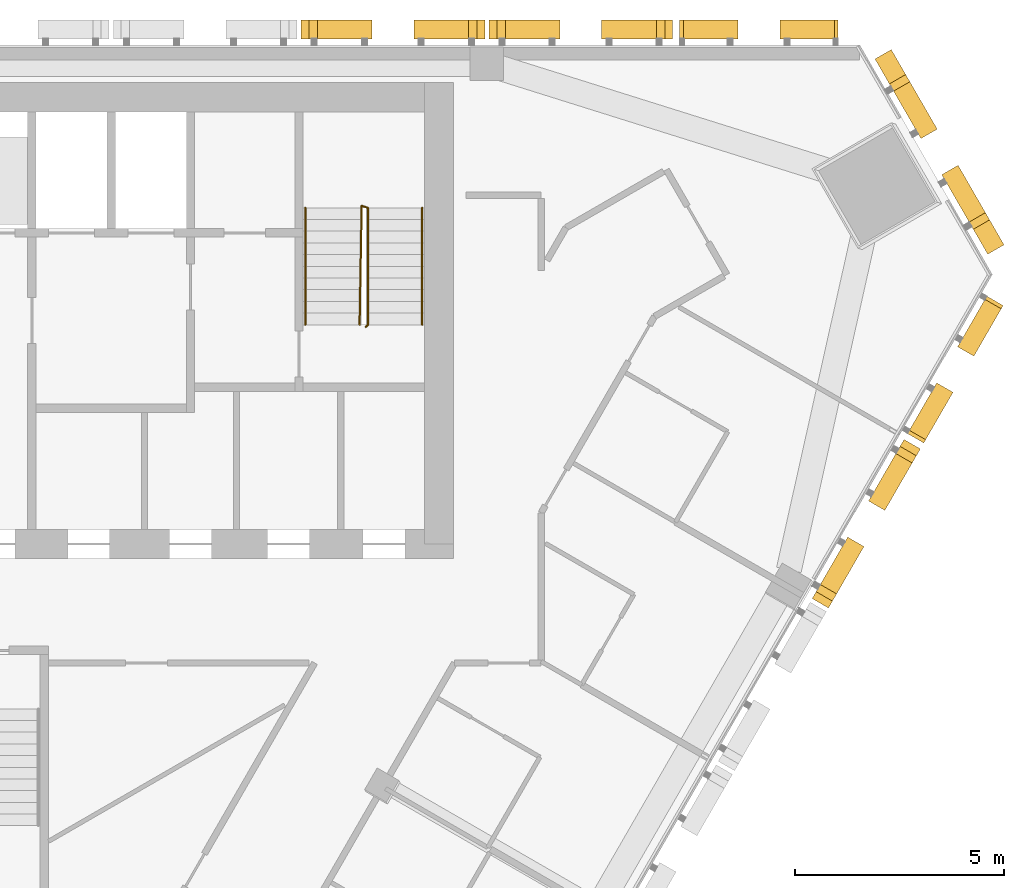
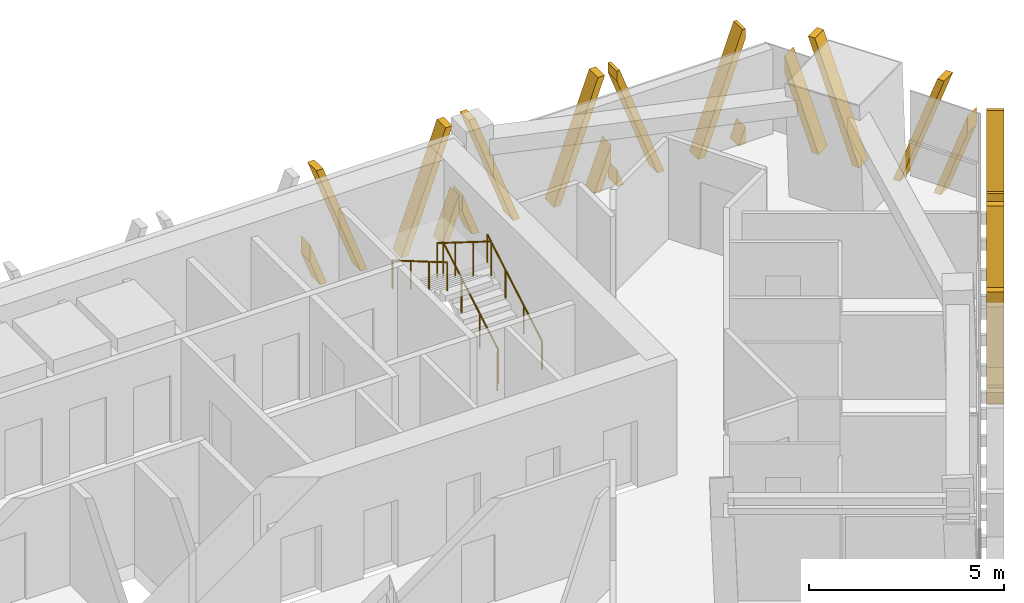
# One storey, part 15 of 16: 6 shading devices, 3 railings.
"""IFC4 building model written with IfcOpenShell, lengths in metres."""

from ifc_helpers import new_model, si_unit, direction, frame, origin, origin_2d, place, context, subcontext, project, spatial, polyline, circle, outline, extrude, source, transform, mapped, material, type_object, element, save


model = new_model("IFC4")

# Units and contexts
model_context = context("Model", 3, precision=1e-05, world=origin(), true_north=direction((0.0, 1.0)))
body_context = subcontext(model_context, "Body", "Model", "MODEL_VIEW")
ifc_project = project(units=[si_unit("LENGTHUNIT", "METRE"), si_unit("AREAUNIT", "SQUARE_METRE"), si_unit("VOLUMEUNIT", "CUBIC_METRE"), si_unit("PLANEANGLEUNIT", "RADIAN"), si_unit("MASSUNIT", "GRAM", prefix="KILO")], contexts=[model_context])

# Site, building, storey
site_placement = place(None, origin())
site = spatial("IfcSite", under=ifc_project, at=site_placement, CompositionType="ELEMENT")
building_placement = place(site_placement, origin())
building = spatial("IfcBuilding", under=site, at=building_placement, Name="Altiplano Prism Tower", CompositionType="ELEMENT")
storey_placement = place(building_placement, frame((0.0, 0.0, 198.0)))
storey = spatial("IfcBuildingStorey", under=building, at=storey_placement, Name="L51", CompositionType="ELEMENT", Elevation=198.0)

# Railings
ifc_material_1 = material(Name="Steel S355", Category="steel")
railing_type_1 = type_object("IfcRailingType", Name="Stair guard 1100", PredefinedType="GUARDRAIL", material=ifc_material_1)
railing_1_placement = place(storey_placement, frame((95.60009765625, 98.25, 0.0)))
element("IfcRailing", 1, at=railing_1_placement, inside=storey, type_object=railing_type_1, Name="L51 ST2 stair guard 1", PredefinedType="GUARDRAIL", context=body_context, shape_type="SweptSolid", body=[
    extrude(circle(Radius=0.02392578125, at=origin_2d()), frame((0.0, 0.0, 1.076171875), z_axis=(0.279546231943, 0.280916556609, 0.91811752648), x_axis=(-0.708833529934, 0.705375805398, 0.0)), (0.0, 0.0, 1.0), 0.17822265625),
    extrude(circle(Radius=0.02392578125, at=origin_2d()), frame((0.0498046875, 0.050048828125, 1.23974609375), z_axis=(0.0, 0.863360870873, 0.504586966384), x_axis=(-1.0, 0.0, 0.0)), (0.0, 0.0, 1.0), 3.2431640625),
    extrude(circle(Radius=0.02392578125, at=origin_2d()), frame((0.0498046875, 2.85009765625, 2.8759765625), z_axis=(-0.948991962702, 0.315300261223, 0.0), x_axis=(-0.315300261223, -0.948991962702, 0.0)), (0.0, 0.0, 1.0), 0.157958984375),
    extrude(circle(Radius=0.02392578125, at=origin_2d()), frame((-0.10009765625, 2.89990234375, 2.8759765625), z_axis=(-0.014846418356, -0.845376787675, 0.533964109957), x_axis=(0.999845825584, -0.017559187376, 0.0)), (0.0, 0.0, 1.0), 3.37109375),
    extrude(circle(Radius=0.02099609375, at=origin_2d()), origin(), (0.0, 0.0, 1.0), 1.052001953125),
    extrude(circle(Radius=0.02099609375, at=origin_2d()), frame((0.0498046875, 0.050048828125, 0.16357421875)), (0.0, 0.0, 1.0), 1.052001953125),
    extrude(circle(Radius=0.02099609375, at=origin_2d()), frame((0.0498046875, 0.9833984375, 0.708984375)), (0.0, 0.0, 1.0), 1.052001953125),
    extrude(circle(Radius=0.02099609375, at=origin_2d()), frame((0.0498046875, 1.916748046875, 1.254638671875)), (0.0, 0.0, 1.0), 1.052001953125),
    extrude(circle(Radius=0.02099609375, at=origin_2d()), frame((0.0498046875, 2.85009765625, 1.800048828125)), (0.0, 0.0, 1.0), 1.052001953125),
    extrude(circle(Radius=0.02099609375, at=origin_2d()), frame((-0.10009765625, 2.89990234375, 1.800048828125)), (0.0, 0.0, 1.0), 1.052001953125),
    extrude(circle(Radius=0.02099609375, at=origin_2d()), frame((-0.11669921875, 1.949951171875, 2.400146484375)), (0.0, 0.0, 1.0), 1.052001953125),
    extrude(circle(Radius=0.02099609375, at=origin_2d()), frame((-0.133544921875, 1.0, 3.0)), (0.0, 0.0, 1.0), 1.052001953125),
    extrude(circle(Radius=0.02099609375, at=origin_2d()), frame((-0.150146484375, 0.050048828125, 3.60009765625)), (0.0, 0.0, 1.0), 1.052001953125),
])
railing_type_2 = type_object("IfcRailingType", Name="Stair handrail 900", PredefinedType="HANDRAIL", material=ifc_material_1)
railing_2_placement = place(storey_placement, frame((96.949951171875, 98.300048828125, 0.16357421875)))
element("IfcRailing", 2, at=railing_2_placement, inside=storey, type_object=railing_type_2, Name="L51 ST2 stair handrail 1", PredefinedType="HANDRAIL", context=body_context, shape_type="SweptSolid", body=[
    extrude(circle(Radius=0.02392578125, at=origin_2d()), frame((0.0, 0.0, 0.8759765625), z_axis=(0.0, 0.863360870873, 0.504586966384), x_axis=(-1.0, 0.0, 0.0)), (0.0, 0.0, 1.0), 3.2431640625),
    extrude(circle(Radius=0.02099609375, at=origin_2d()), origin(), (0.0, 0.0, 1.0), 0.851806640625),
    extrude(circle(Radius=0.02099609375, at=origin_2d()), frame((0.0, 0.933349609375, 0.54541015625)), (0.0, 0.0, 1.0), 0.851806640625),
    extrude(circle(Radius=0.02099609375, at=origin_2d()), frame((0.0, 1.86669921875, 1.091064453125)), (0.0, 0.0, 1.0), 0.851806640625),
    extrude(circle(Radius=0.02099609375, at=origin_2d()), frame((0.0, 2.800048828125, 1.636474609375)), (0.0, 0.0, 1.0), 0.851806640625),
])
railing_3_placement = place(storey_placement, frame((94.14990234375, 101.10009765625, 1.963623046875)))
element("IfcRailing", 3, at=railing_3_placement, inside=storey, type_object=railing_type_2, Name="L51 ST2 stair handrail 2", PredefinedType="HANDRAIL", context=body_context, shape_type="SweptSolid", body=[
    extrude(circle(Radius=0.02392578125, at=origin_2d()), frame((0.0, 0.0, 0.8759765625), z_axis=(0.0, -0.863360870873, 0.504586966384), x_axis=(1.0, 0.0, 0.0)), (0.0, 0.0, 1.0), 3.2431640625),
    extrude(circle(Radius=0.02099609375, at=origin_2d()), origin(), (0.0, 0.0, 1.0), 0.851806640625),
    extrude(circle(Radius=0.02099609375, at=origin_2d()), frame((0.0, -0.933349609375, 0.54541015625)), (0.0, 0.0, 1.0), 0.851806640625),
    extrude(circle(Radius=0.02099609375, at=origin_2d()), frame((0.0, -1.86669921875, 1.091064453125)), (0.0, 0.0, 1.0), 0.851806640625),
    extrude(circle(Radius=0.02099609375, at=origin_2d()), frame((0.0, -2.800048828125, 1.636474609375)), (0.0, 0.0, 1.0), 0.851806640625),
])

# Shading devices
ifc_material_2 = material(Name="Warm limestone cast stone", Category="masonry")
shading_device_type_1 = type_object("IfcShadingDeviceType", Name="Stone fin panel, standard unit", PredefinedType="USERDEFINED", material=ifc_material_2)
shared_shape_1 = source(origin(), body_context, "Body", "SweptSolid", [
    extrude(outline(polyline([(-2.199951171875, 1.373779296875), (-2.199951171875, 0.82421875), (-1.89990234375, 0.0), (-1.699951171875, 0.0), (-2.199951171875, 1.373779296875)])), frame((0.0, -0.14990234375, 0.0), z_axis=(0.0, -1.0, 0.0), x_axis=(1.0, 0.0, 0.0)), (0.0, 0.0, 1.0), 0.4501953125),
    extrude(outline(polyline([(-2.01025390625, 3.60009765625), (-0.699951171875, 0.0), (-0.5, 0.0), (-1.810302734375, 3.60009765625), (-2.01025390625, 3.60009765625)])), frame((0.0, -0.14990234375, 0.0), z_axis=(0.0, -1.0, 0.0), x_axis=(1.0, 0.0, 0.0)), (0.0, 0.0, 1.0), 0.4501953125),
    extrude(outline(polyline([(1.810302734375, 3.60009765625), (0.5, 0.0), (0.699951171875, 0.0), (2.01025390625, 3.60009765625), (1.810302734375, 3.60009765625)])), frame((0.0, -0.14990234375, 0.0), z_axis=(0.0, -1.0, 0.0), x_axis=(1.0, 0.0, 0.0)), (0.0, 0.0, 1.0), 0.4501953125),
    extrude(outline(polyline([(2.199951171875, 0.82421875), (2.199951171875, 1.373779296875), (1.699951171875, 0.0), (1.89990234375, 0.0), (2.199951171875, 0.82421875)])), frame((0.0, -0.14990234375, 0.0), z_axis=(0.0, -1.0, 0.0), x_axis=(1.0, 0.0, 0.0)), (0.0, 0.0, 1.0), 0.4501953125),
])
shading_device_1_placement = place(storey_placement, origin())
element("IfcShadingDevice", 4, at=shading_device_1_placement, inside=storey, type_object=shading_device_type_1, Name="Fin L51 north face 2", ObjectType="FIN", PredefinedType="USERDEFINED", context=body_context, shape_type="MappedRepresentation", body=[
    mapped(shared_shape_1, transform((100.75, 105.0, -0.449951171875), x_axis=(-1.0, 0.0, 0.0), y_axis=(0.0, -1.0, 0.0), z_axis=(0.0, 0.0, 1.0))),
])
shading_device_2_placement = place(storey_placement, origin())
element("IfcShadingDevice", 5, at=shading_device_2_placement, inside=storey, type_object=shading_device_type_1, Name="Fin L51 north face 3", ObjectType="FIN", PredefinedType="USERDEFINED", context=body_context, shape_type="MappedRepresentation", body=[
    mapped(shared_shape_1, transform((96.25, 105.0, -0.449951171875), x_axis=(-1.0, 0.0, 0.0), y_axis=(0.0, -1.0, 0.0), z_axis=(0.0, 0.0, 1.0))),
])
shading_device_3_placement = place(storey_placement, origin())
element("IfcShadingDevice", 6, at=shading_device_3_placement, inside=storey, type_object=shading_device_type_1, Name="Fin L51 south-east face 9", ObjectType="FIN", PredefinedType="USERDEFINED", context=body_context, shape_type="MappedRepresentation", body=[
    mapped(shared_shape_1, transform((107.261962890625, 93.720947265625, -0.449951171875), x_axis=(0.499999990992, 0.866025408985, 0.0), y_axis=(-0.866025408985, 0.499999990992, 0.0), z_axis=(0.0, 0.0, 1.0))),
])
shading_device_type_2 = type_object("IfcShadingDeviceType", Name="Stone fin panel, narrow closing bay", PredefinedType="USERDEFINED", material=ifc_material_2)
shared_shape_2 = source(origin(), body_context, "Body", "SweptSolid", [
    extrude(outline(polyline([(-1.89990234375, 3.60009765625), (-1.89990234375, 3.297119140625), (-0.699951171875, 0.0), (-0.5, 0.0), (-1.810302734375, 3.60009765625), (-1.89990234375, 3.60009765625)])), frame((0.0, -0.14990234375, 0.0), z_axis=(0.0, -1.0, 0.0), x_axis=(1.0, 0.0, 0.0)), (0.0, 0.0, 1.0), 0.4501953125),
    extrude(outline(polyline([(-1.89990234375, 0.549560546875), (-1.89990234375, 0.0), (-1.699951171875, 0.0), (-1.89990234375, 0.549560546875)])), frame((0.0, -0.14990234375, 0.0), z_axis=(0.0, -1.0, 0.0), x_axis=(1.0, 0.0, 0.0)), (0.0, 0.0, 1.0), 0.4501953125),
    extrude(outline(polyline([(1.810302734375, 3.60009765625), (0.5, 0.0), (0.699951171875, 0.0), (1.89990234375, 3.297119140625), (1.89990234375, 3.60009765625), (1.810302734375, 3.60009765625)])), frame((0.0, -0.14990234375, 0.0), z_axis=(0.0, -1.0, 0.0), x_axis=(1.0, 0.0, 0.0)), (0.0, 0.0, 1.0), 0.4501953125),
    extrude(outline(polyline([(1.89990234375, 0.0), (1.89990234375, 0.549560546875), (1.699951171875, 0.0), (1.89990234375, 0.0)])), frame((0.0, -0.14990234375, 0.0), z_axis=(0.0, -1.0, 0.0), x_axis=(1.0, 0.0, 0.0)), (0.0, 0.0, 1.0), 0.4501953125),
])
shading_device_4_placement = place(storey_placement, origin())
element("IfcShadingDevice", 7, at=shading_device_4_placement, inside=storey, type_object=shading_device_type_2, Name="Fin L51 north face 1", ObjectType="FIN", PredefinedType="USERDEFINED", context=body_context, shape_type="MappedRepresentation", body=[
    mapped(shared_shape_2, transform((105.01513671875, 105.0, -0.449951171875), x_axis=(-1.0, 0.0, 0.0), y_axis=(0.0, -1.0, 0.0), z_axis=(0.0, 0.0, 1.0))),
])
shading_device_5_placement = place(storey_placement, origin())
element("IfcShadingDevice", 8, at=shading_device_5_placement, inside=storey, type_object=shading_device_type_2, Name="Fin L51 south-east face 10", ObjectType="FIN", PredefinedType="USERDEFINED", context=body_context, shape_type="MappedRepresentation", body=[
    mapped(shared_shape_2, transform((109.39453125, 97.41455078125, -0.449951171875), x_axis=(0.499999990992, 0.866025408985, 0.0), y_axis=(-0.866025408985, 0.499999990992, 0.0), z_axis=(0.0, 0.0, 1.0))),
])
shading_device_type_3 = type_object("IfcShadingDeviceType", Name="Stone fin panel, chamfer unit", PredefinedType="USERDEFINED", material=ifc_material_2)
shared_shape_3 = source(origin(), body_context, "Body", "SweptSolid", [
    extrude(outline(polyline([(-2.699951171875, 2.74755859375), (-2.699951171875, 2.197998046875), (-1.89990234375, 0.0), (-1.699951171875, 0.0), (-2.699951171875, 2.74755859375)])), frame((0.0, -0.14990234375, 0.0), z_axis=(0.0, -1.0, 0.0), x_axis=(1.0, 0.0, 0.0)), (0.0, 0.0, 1.0), 0.4501953125),
    extrude(outline(polyline([(-2.01025390625, 3.60009765625), (-0.699951171875, 0.0), (-0.5, 0.0), (-1.810302734375, 3.60009765625), (-2.01025390625, 3.60009765625)])), frame((0.0, -0.14990234375, 0.0), z_axis=(0.0, -1.0, 0.0), x_axis=(1.0, 0.0, 0.0)), (0.0, 0.0, 1.0), 0.4501953125),
    extrude(outline(polyline([(1.810302734375, 3.60009765625), (0.5, 0.0), (0.699951171875, 0.0), (2.01025390625, 3.60009765625), (1.810302734375, 3.60009765625)])), frame((0.0, -0.14990234375, 0.0), z_axis=(0.0, -1.0, 0.0), x_axis=(1.0, 0.0, 0.0)), (0.0, 0.0, 1.0), 0.4501953125),
    extrude(outline(polyline([(2.699951171875, 2.197998046875), (2.699951171875, 2.74755859375), (1.699951171875, 0.0), (1.89990234375, 0.0), (2.699951171875, 2.197998046875)])), frame((0.0, -0.14990234375, 0.0), z_axis=(0.0, -1.0, 0.0), x_axis=(1.0, 0.0, 0.0)), (0.0, 0.0, 1.0), 0.4501953125),
])
shading_device_6_placement = place(storey_placement, origin())
element("IfcShadingDevice", 9, at=shading_device_6_placement, inside=storey, type_object=shading_device_type_3, Name="Fin L51 north-east chamfer 1", ObjectType="FIN", PredefinedType="USERDEFINED", context=body_context, shape_type="MappedRepresentation", body=[
    mapped(shared_shape_3, transform((109.01611328125, 102.2529296875, -0.449951171875), x_axis=(-0.500000041799, 0.866025379652, 0.0), y_axis=(-0.866025379652, -0.500000041799, 0.0), z_axis=(0.0, 0.0, 1.0))),
])

save(model, "model.ifc")
